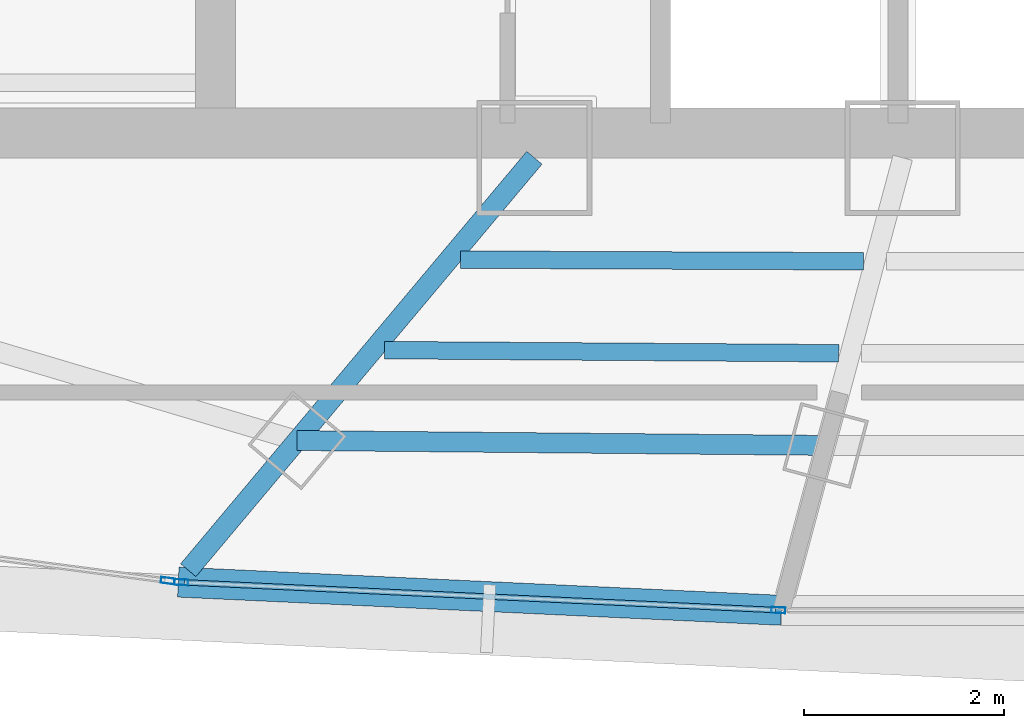
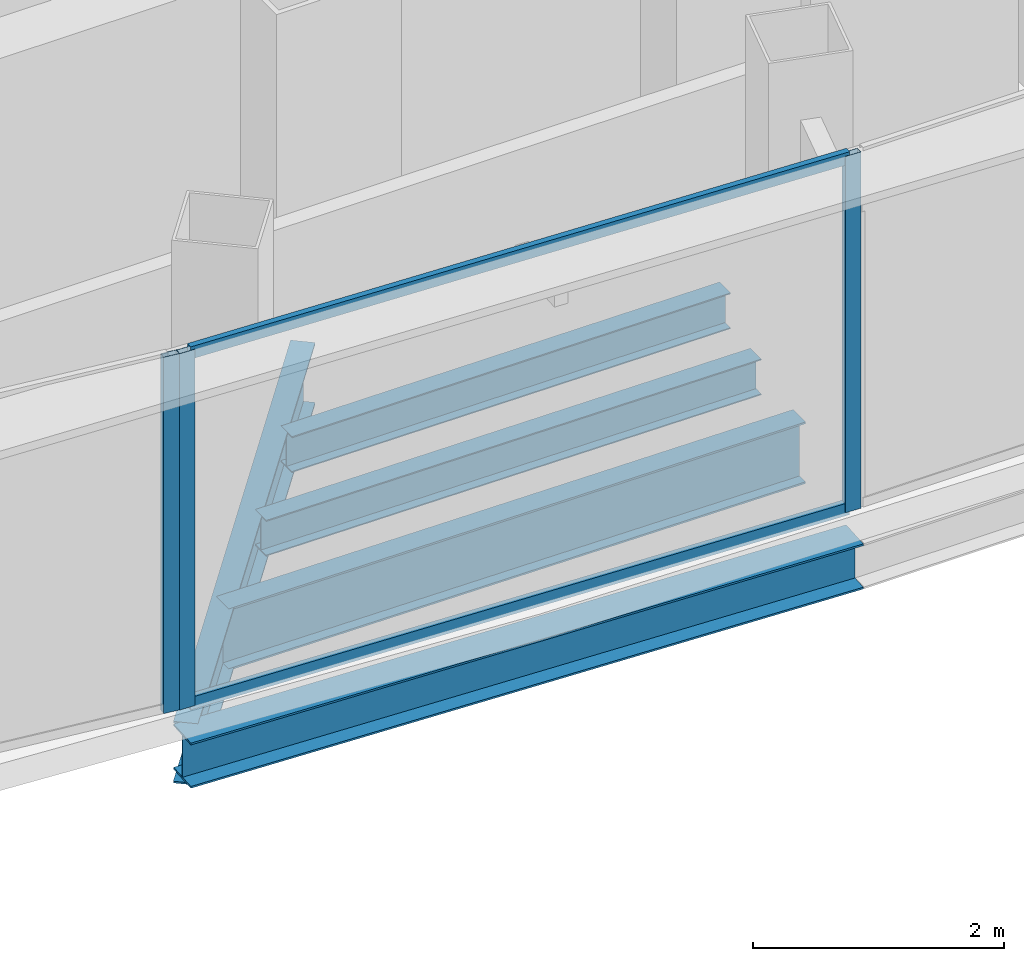
# One storey, part 4 of 29: 5 beams, 5 members, 2 elements without a shape of their own.
"""IFC4 building model written with IfcOpenShell, lengths in metres."""

from ifc_helpers import new_model, si_unit, direction, frame, origin, origin_2d, place, context, subcontext, project, spatial, hollow_rectangle, i_section, extrude, source, transform, mapped, material, layer, layer_set, material_profile, profile_set, type_object, element, aggregate, save


model = new_model("IFC4")

# Units and contexts
model_context = context("Model", 3, precision=1e-05, world=origin(), true_north=direction((0.0, 1.0)))
body_context = subcontext(model_context, "Body", "Model", "MODEL_VIEW")
ifc_project = project(units=[si_unit("LENGTHUNIT", "METRE"), si_unit("AREAUNIT", "SQUARE_METRE"), si_unit("VOLUMEUNIT", "CUBIC_METRE"), si_unit("PLANEANGLEUNIT", "RADIAN"), si_unit("MASSUNIT", "GRAM", prefix="KILO"), si_unit("THERMODYNAMICTEMPERATUREUNIT", "KELVIN"), si_unit("POWERUNIT", "WATT")], contexts=[model_context])

# Site, building, storey
site_placement = place(None, origin())
site = spatial("IfcSite", under=ifc_project, at=site_placement, CompositionType="ELEMENT")
building_placement = place(site_placement, origin())
building = spatial("IfcBuilding", under=site, at=building_placement, Name="Yunzhuo Pagoda Commons", CompositionType="ELEMENT")
storey_placement = place(building_placement, frame((0.0, 0.0, 363.010009765625)))
storey = spatial("IfcBuildingStorey", under=building, at=storey_placement, Name="L91", CompositionType="ELEMENT", Elevation=363.010009765625)

# Beams
ifc_material_1 = material(Name="Structural steel Q355B", Category="steel")
ifc_material_profile_1 = material_profile(ifc_material_1, i_section(OverallWidth=0.199951171875, OverallDepth=0.60009765625, WebThickness=0.010986328125, FlangeThickness=0.01708984375, at=origin_2d()), Name="Structural steel Q355B")
ifc_profile_set_1 = profile_set([ifc_material_profile_1], Name="Structural steel Q355B")
beam_type_1 = type_object("IfcBeamType", Name="B-RG3 Beam HN 600x200x11x17", PredefinedType="BEAM", material=ifc_profile_set_1)
shared_shape_1 = source(origin(), body_context, "Body", "SweptSolid", [
    extrude(i_section(OverallWidth=0.199951171875, OverallDepth=0.60009765625, WebThickness=0.010986328125, FlangeThickness=0.01708984375, at=origin_2d()), origin(), (0.0, 0.0, 1.0), 5.286376953125),
])
beam_1_placement = place(storey_placement, frame((40.214599609375, 24.421630859375, -0.56005859375), z_axis=(0.999957341442, -0.009236627946, 0.0), x_axis=(0.009236627946, 0.999957341442, 0.0)))
element("IfcBeam", 1, at=beam_1_placement, inside=storey, type_object=beam_type_1, Name="L91 column-ring beam 1", PredefinedType="BEAM", context=body_context, shape_type="MappedRepresentation", body=[
    mapped(shared_shape_1, transform((0.0, 0.0, 0.0), scale=1.0)),
])
ifc_material_profile_2 = material_profile(ifc_material_1, i_section(OverallWidth=0.175048828125, OverallDepth=0.35009765625, WebThickness=0.007080078125, FlangeThickness=0.010986328125, at=origin_2d()), Name="Structural steel Q355B")
ifc_profile_set_2 = profile_set([ifc_material_profile_2], Name="Structural steel Q355B")
beam_type_2 = type_object("IfcBeamType", Name="B-JS2 Joist HN 350x175x7x11", PredefinedType="JOIST", material=ifc_profile_set_2)
shared_shape_2 = source(origin(), body_context, "Body", "SweptSolid", [
    extrude(i_section(OverallWidth=0.175048828125, OverallDepth=0.35009765625, WebThickness=0.007080078125, FlangeThickness=0.010986328125, at=origin_2d()), origin(), (0.0, 0.0, 1.0), 4.03076171875),
])
beam_2_placement = place(storey_placement, frame((41.848388671875, 26.231201171875, -0.43505859375), z_axis=(0.999991518197, -0.004118680996, 0.0), x_axis=(0.004118680996, 0.999991518197, 0.0)))
element("IfcBeam", 2, at=beam_2_placement, inside=storey, type_object=beam_type_2, Name="L91 composite ring joist 1.1", PredefinedType="JOIST", context=body_context, shape_type="MappedRepresentation", body=[
    mapped(shared_shape_2, transform((0.0, 0.0, 0.0), scale=1.0)),
])
shared_shape_3 = source(origin(), body_context, "Body", "SweptSolid", [
    extrude(i_section(OverallWidth=0.175048828125, OverallDepth=0.35009765625, WebThickness=0.007080078125, FlangeThickness=0.010986328125, at=origin_2d()), origin(), (0.0, 0.0, 1.0), 4.54345703125),
])
beam_3_placement = place(storey_placement, frame((41.089111328125, 25.325927734375, -0.43505859375), z_axis=(0.999975976237, -0.006931590593, 0.0), x_axis=(0.006931590593, 0.999975976237, 0.0)))
element("IfcBeam", 3, at=beam_3_placement, inside=storey, type_object=beam_type_2, Name="L91 composite ring joist 2.1", PredefinedType="JOIST", context=body_context, shape_type="MappedRepresentation", body=[
    mapped(shared_shape_3, transform((0.0, 0.0, 0.0), scale=1.0)),
])
shared_shape_4 = source(origin(), body_context, "Body", "SweptSolid", [
    extrude(i_section(OverallWidth=0.199951171875, OverallDepth=0.60009765625, WebThickness=0.010986328125, FlangeThickness=0.01708984375, at=origin_2d()), origin(), (0.0, 0.0, 1.0), 5.385986328125),
])
beam_4_placement = place(storey_placement, frame((39.125732421875, 23.124267578125, -0.56005859375), z_axis=(0.642815681487, 0.766020887205, 0.0), x_axis=(-0.766020887205, 0.642815681487, 0.0)))
element("IfcBeam", 4, at=beam_4_placement, inside=storey, type_object=beam_type_1, Name="L91 radial floor girder F1C1", PredefinedType="BEAM", context=body_context, shape_type="MappedRepresentation", body=[
    mapped(shared_shape_4, transform((0.0, 0.0, 0.0), scale=1.0)),
])
ifc_material_profile_3 = material_profile(ifc_material_1, i_section(OverallWidth=0.300048828125, OverallDepth=0.43994140625, WebThickness=0.010986328125, FlangeThickness=0.01806640625, at=origin_2d()), Name="Structural steel Q355B")
ifc_profile_set_3 = profile_set([ifc_material_profile_3], Name="Structural steel Q355B")
beam_type_3 = type_object("IfcBeamType", Name="B-SP2 Beam HM 440x300x11x18", PredefinedType="BEAM", material=ifc_profile_set_3)
shared_shape_5 = source(origin(), body_context, "Body", "SweptSolid", [
    extrude(i_section(OverallWidth=0.300048828125, OverallDepth=0.43994140625, WebThickness=0.010986328125, FlangeThickness=0.01806640625, at=origin_2d()), origin(), (0.0, 0.0, 1.0), 6.039306640625),
])
beam_5_placement = place(storey_placement, frame((39.026123046875, 23.00537109375, -0.47998046875), z_axis=(0.998909369729, -0.046691231163, 0.0), x_axis=(0.046691231163, 0.998909369729, 0.0)))
element("IfcBeam", 5, at=beam_5_placement, inside=storey, type_object=beam_type_3, Name="L91 facade edge spandrel beam F1.1", PredefinedType="BEAM", context=body_context, shape_type="MappedRepresentation", body=[
    mapped(shared_shape_5, transform((0.0, 0.0, 0.0), scale=1.0)),
])

# Curtain wall, members
ifc_material_2 = material(Name="Anodized aluminium 6063-T6", Category="aluminium")
ifc_layer = layer(ifc_material_2, 0.139892578125)
ifc_layer_set = layer_set([ifc_layer], Name="Anodized aluminium 6063-T6")
curtain_wall_type = type_object("IfcCurtainWallType", Name="CW-HI High-Zone Ribbon Curtain Wall", PredefinedType="NOTDEFINED", material=ifc_layer_set)
curtain_wall_1_placement = place(storey_placement, origin())
curtain_wall_1 = element("IfcCurtainWall", 6, at=curtain_wall_1_placement, inside=storey, type_object=curtain_wall_type, Name="L91 curtain wall CW-L91-F1B2", PredefinedType="NOTDEFINED")
ifc_material_profile_4 = material_profile(ifc_material_2, hollow_rectangle(XDim=0.06005859375, YDim=0.139892578125, WallThickness=0.00341796875, at=origin_2d()), Name="Anodized aluminium 6063-T6")
ifc_profile_set_4 = profile_set([ifc_material_profile_4], Name="Anodized aluminium 6063-T6")
member_type_1 = type_object("IfcMemberType", Name="CW-HI-M Mullion RHS 140x60x3.5", PredefinedType="MULLION", material=ifc_profile_set_4)
shared_shape_6 = source(origin(), body_context, "Body", "SweptSolid", [
    extrude(hollow_rectangle(XDim=0.06005859375, YDim=0.139892578125, WallThickness=0.00341796875, at=origin_2d()), origin(), (0.0, 0.0, 1.0), 3.47021484375),
])
member_1_placement = place(storey_placement, frame((39.05615234375, 23.00390625, 0.0), z_axis=(0.0, 0.0, 1.0), x_axis=(0.046711544825, 0.998908420017, 0.0)))
member_1 = element("IfcMember", 7, at=member_1_placement, type_object=member_type_1, Name="CW mullion 1", PredefinedType="MULLION", context=body_context, shape_type="MappedRepresentation", body=[
    mapped(shared_shape_6, transform((0.0, 0.0, 0.0), scale=1.0)),
])
member_2_placement = place(storey_placement, frame((45.02880859375, 22.724609375, 0.0), z_axis=(0.0, 0.0, 1.0), x_axis=(0.046711544825, 0.998908420017, 0.0)))
member_2 = element("IfcMember", 8, at=member_2_placement, type_object=member_type_1, Name="CW mullion 2", PredefinedType="MULLION", context=body_context, shape_type="MappedRepresentation", body=[
    mapped(shared_shape_6, transform((0.0, 0.0, 0.0), scale=1.0)),
])

# Curtain wall, member
curtain_wall_2_placement = place(storey_placement, origin())
curtain_wall_2 = element("IfcCurtainWall", 9, at=curtain_wall_2_placement, inside=storey, type_object=curtain_wall_type, Name="L91 curtain wall CW-L91-F1B1", PredefinedType="NOTDEFINED")
member_3_placement = place(storey_placement, frame((38.922119140625, 23.01904296875, 0.0), z_axis=(0.0, 0.0, 1.0), x_axis=(0.130505551679, 0.991447578534, 0.0)))
member_3 = element("IfcMember", 10, at=member_3_placement, type_object=member_type_1, Name="CW mullion 2", PredefinedType="MULLION", context=body_context, shape_type="MappedRepresentation", body=[
    mapped(shared_shape_6, transform((0.0, 0.0, 0.0), scale=1.0)),
])
aggregate(curtain_wall_2, [member_3])

# Member
ifc_material_profile_5 = material_profile(ifc_material_2, hollow_rectangle(XDim=0.054931640625, YDim=0.1201171875, WallThickness=0.00341796875, at=origin_2d()), Name="Anodized aluminium 6063-T6")
ifc_profile_set_5 = profile_set([ifc_material_profile_5], Name="Anodized aluminium 6063-T6")
member_type_2 = type_object("IfcMemberType", Name="CW-HI-T Transom RHS 120x55x3.5", PredefinedType="USERDEFINED", material=ifc_profile_set_5)
shared_shape_7 = source(origin(), body_context, "Body", "SweptSolid", [
    extrude(hollow_rectangle(XDim=0.054931640625, YDim=0.1201171875, WallThickness=0.00341796875, at=origin_2d()), origin(), (0.0, 0.0, 1.0), 5.919189453125),
])
member_4_placement = place(storey_placement, frame((39.086181640625, 23.0029296875, 0.027587890625), z_axis=(0.998905524307, -0.046773427391, 0.0), x_axis=(0.046773427391, 0.998905524307, 0.0)))
member_4 = element("IfcMember", 11, at=member_4_placement, type_object=member_type_2, Name="CW transom 1.1", ObjectType="TRANSOM", PredefinedType="USERDEFINED", context=body_context, shape_type="MappedRepresentation", body=[
    mapped(shared_shape_7, transform((0.0, 0.0, 0.0), scale=1.0)),
])

member_5_placement = place(storey_placement, frame((39.086181640625, 23.0029296875, 3.4423828125), z_axis=(0.998905524307, -0.046773427391, 0.0), x_axis=(0.046773427391, 0.998905524307, 0.0)))
member_5 = element("IfcMember", 12, at=member_5_placement, type_object=member_type_2, Name="CW transom 1.2", ObjectType="TRANSOM", PredefinedType="USERDEFINED", context=body_context, shape_type="MappedRepresentation", body=[
    mapped(shared_shape_7, transform((0.0, 0.0, 0.0), scale=1.0)),
])

aggregate(curtain_wall_1, [member_1, member_2, member_4, member_5])

save(model, "model.ifc")
